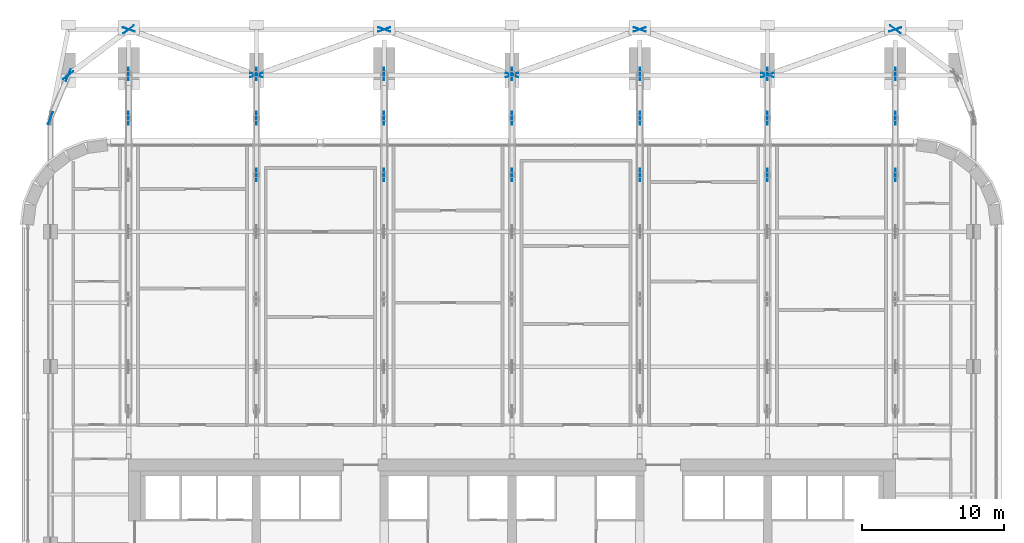
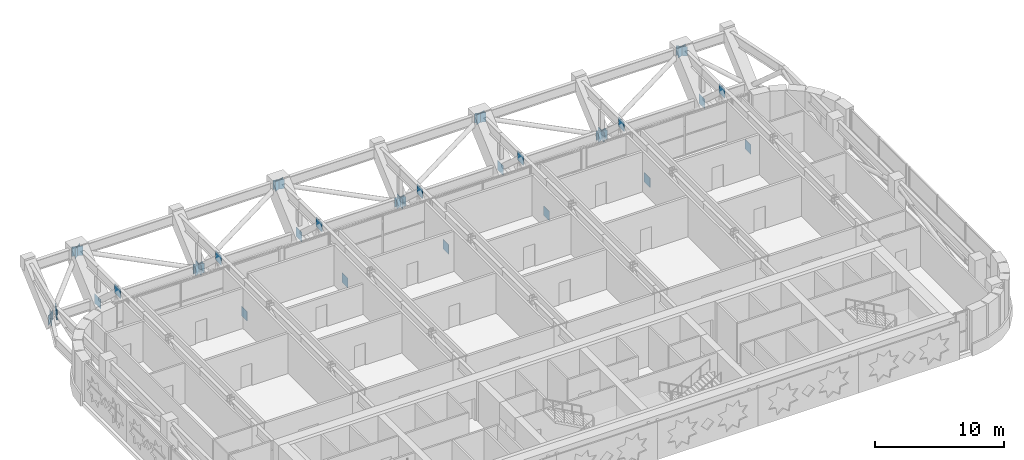
# One storey, part 16 of 23: 37 discrete accessories.
"""IFC4 building model written with IfcOpenShell, lengths in metres."""

from ifc_helpers import new_model, si_unit, direction, frame, origin, origin_2d, place, context, subcontext, project, spatial, rectangle, extrude, element, save


model = new_model("IFC4")

# Units and contexts
model_context = context("Model", 3, precision=1e-05, world=origin(), true_north=direction((0.0, 1.0)))
body_context = subcontext(model_context, "Body", "Model", "MODEL_VIEW")
ifc_project = project(units=[si_unit("LENGTHUNIT", "METRE"), si_unit("AREAUNIT", "SQUARE_METRE"), si_unit("VOLUMEUNIT", "CUBIC_METRE"), si_unit("PLANEANGLEUNIT", "RADIAN"), si_unit("MASSUNIT", "GRAM", prefix="KILO")], contexts=[model_context])

# Site, building, storey
site_placement = place(None, origin())
site = spatial("IfcSite", under=ifc_project, at=site_placement, CompositionType="ELEMENT")
building_placement = place(site_placement, origin())
building = spatial("IfcBuilding", under=site, at=building_placement, Name="Zellij Exchange Tower", CompositionType="ELEMENT")
storey_placement = place(building_placement, frame((0.0, 0.0, 160.5)))
storey = spatial("IfcBuildingStorey", under=building, at=storey_placement, Name="L36", CompositionType="ELEMENT", Elevation=160.5)

# Discrete accessories
for number, where, z_axis, x_axis, name in (
    (1, (-27.0, 22.0, 2.867431640625), (0.0, 0.0, 1.0), (0.0, 1.0, 0.0), "Gusset plate"),
    (2, (-27.0, 25.115966796875, 0.03271484375), (0.0, 0.0, 1.0), (0.0, 1.0, 0.0), "Gusset plate"),
    (3, (-18.0, 18.0, 0.03271484375), (0.0, 0.0, 1.0), (0.0, 1.0, 0.0), "Gusset plate"),
    (4, (-18.0, 22.0, 2.867431640625), (0.0, 0.0, 1.0), (0.0, 1.0, 0.0), "Gusset plate"),
    (5, (-18.0, 25.115966796875, 0.03271484375), (0.0, 0.0, 1.0), (0.0, 1.0, 0.0), "Gusset plate"),
    (6, (-9.0, 18.0, 0.03271484375), (0.0, 0.0, 1.0), (0.0, 1.0, 0.0), "Gusset plate"),
    (7, (-9.0, 22.0, 2.867431640625), (0.0, 0.0, 1.0), (0.0, 1.0, 0.0), "Gusset plate"),
    (8, (-9.0, 25.115966796875, 0.03271484375), (0.0, 0.0, 1.0), (0.0, 1.0, 0.0), "Gusset plate"),
    (9, (0.0, 18.0, 0.03271484375), (0.0, 0.0, 1.0), (0.0, 1.0, 0.0), "Gusset plate"),
    (10, (0.0, 22.0, 2.867431640625), (0.0, 0.0, 1.0), (0.0, 1.0, 0.0), "Gusset plate"),
    (11, (0.0, 25.115966796875, 0.03271484375), (0.0, 0.0, 1.0), (0.0, 1.0, 0.0), "Gusset plate"),
    (12, (9.0, 18.0, 0.03271484375), (0.0, 0.0, 1.0), (0.0, 1.0, 0.0), "Gusset plate"),
    (13, (9.0, 22.0, 2.867431640625), (0.0, 0.0, 1.0), (0.0, 1.0, 0.0), "Gusset plate"),
    (14, (9.0, 25.115966796875, 0.03271484375), (0.0, 0.0, 1.0), (0.0, 1.0, 0.0), "Gusset plate"),
    (15, (18.0, 18.0, 0.03271484375), (0.0, 0.0, 1.0), (0.0, 1.0, 0.0), "Gusset plate"),
    (16, (18.0, 22.0, 2.867431640625), (0.0, 0.0, 1.0), (0.0, 1.0, 0.0), "Gusset plate"),
    (17, (18.0, 25.115966796875, 0.03271484375), (0.0, 0.0, 1.0), (0.0, 1.0, 0.0), "Gusset plate"),
    (18, (27.0, 18.0, 0.03271484375), (0.0, 0.0, 1.0), (0.0, 1.0, 0.0), "Gusset plate"),
    (19, (27.0, 22.0, 2.867431640625), (0.0, 0.0, 1.0), (0.0, 1.0, 0.0), "Gusset plate"),
    (20, (27.0, 25.115966796875, 0.03271484375), (0.0, 0.0, 1.0), (0.0, 1.0, 0.0), "Gusset plate"),
    (21, (-32.5, 22.0, 2.87890625), (0.0, 0.0, 1.0), (0.381352745088, 0.924429599166, 0.0), "Gusset plate"),
    (22, (-31.25, 25.030029296875, 0.021240234375), (0.0, 0.0, 1.0), (0.381352745088, 0.924429599166, 0.0), "Gusset plate"),
    (23, (-31.25, 25.030029296875, 0.021240234375), (0.0, 0.0, 1.0), (0.797534444704, 0.603273411904, 0.0), "Gusset plate"),
    (24, (-27.0, 28.244873046875, 2.87890625), (0.0, 0.0, 1.0), (0.797534444704, 0.603273411904, 0.0), "Gusset plate"),
    (25, (-27.0, 28.244873046875, 2.87890625), (0.0, 0.0, 1.0), (0.941725028119, -0.336383666986, 0.0), "Gusset plate"),
    (26, (-18.0, 25.030029296875, 0.021240234375), (0.0, 0.0, 1.0), (0.941725028119, -0.336383666986, 0.0), "Gusset plate"),
    (27, (-18.0, 25.030029296875, 0.021240234375), (0.0, 0.0, 1.0), (0.941725028119, 0.336383666986, 0.0), "Gusset plate"),
    (28, (-9.0, 28.244873046875, 2.87890625), (0.0, 0.0, 1.0), (0.941725028119, 0.336383666986, 0.0), "Gusset plate"),
    (29, (-9.0, 28.244873046875, 2.87890625), (0.0, 0.0, 1.0), (0.941725028119, -0.336383666986, 0.0), "Gusset plate"),
    (30, (0.0, 25.030029296875, 0.021240234375), (0.0, 0.0, 1.0), (0.941725028119, -0.336383666986, 0.0), "Gusset plate"),
    (31, (0.0, 25.030029296875, 0.021240234375), (0.0, 0.0, 1.0), (0.941725028119, 0.336383666986, 0.0), "Gusset plate"),
    (32, (9.0, 28.244873046875, 2.87890625), (0.0, 0.0, 1.0), (0.941725028119, 0.336383666986, 0.0), "Gusset plate"),
    (33, (9.0, 28.244873046875, 2.87890625), (0.0, 0.0, 1.0), (0.941725028119, -0.336383666986, 0.0), "Gusset plate"),
    (34, (18.0, 25.030029296875, 0.021240234375), (0.0, 0.0, 1.0), (0.941725028119, -0.336383666986, 0.0), "Gusset plate"),
    (35, (18.0, 25.030029296875, 0.021240234375), (0.0, 0.0, 1.0), (0.941725028119, 0.336383666986, 0.0), "Gusset plate"),
    (36, (27.0, 28.244873046875, 2.87890625), (0.0, 0.0, 1.0), (0.941725028119, 0.336383666986, 0.0), "Gusset plate"),
    (37, (27.0, 28.244873046875, 2.87890625), (0.0, 0.0, 1.0), (0.797534444704, -0.603273411904, 0.0), "Gusset plate"),
):
    element("IfcDiscreteAccessory", number, at=place(storey_placement, frame(where, z_axis=z_axis, x_axis=x_axis)), inside=storey, Name=name, PredefinedType="BRACKET", context=body_context, shape_type="SweptSolid", body=[
        extrude(rectangle(XDim=0.89990234375, YDim=0.030029296875, at=origin_2d()), origin(), (0.0, 0.0, 1.0), 0.89990234375),
    ])

save(model, "model.ifc")
